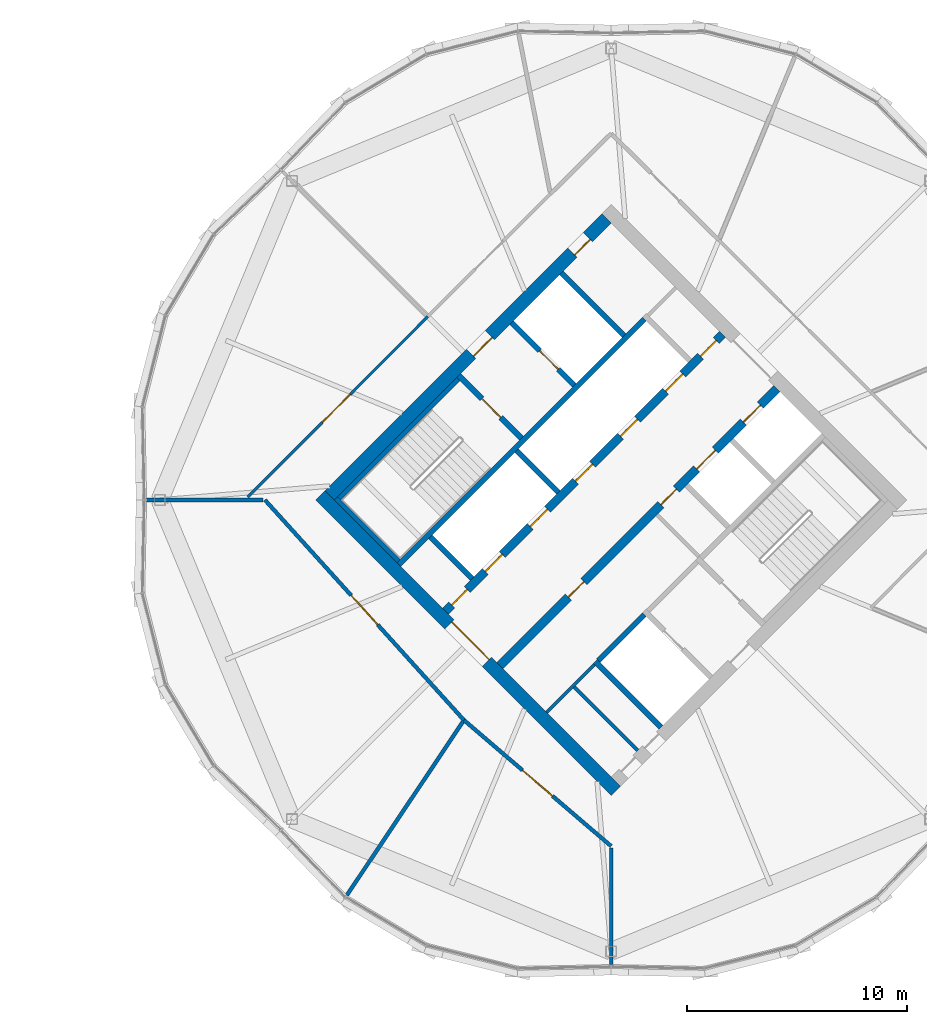
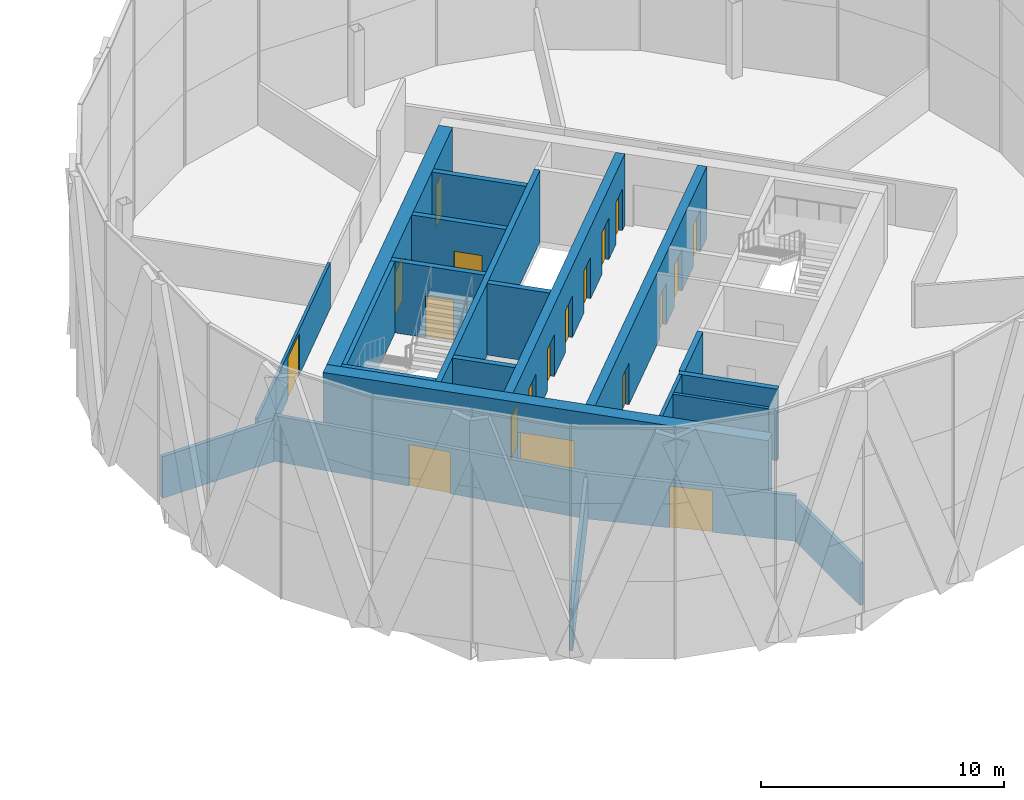
# One storey, part 21 of 25: 22 walls, 19 doors, 19 openings.
"""IFC4 building model written with IfcOpenShell, lengths in metres."""

from ifc_helpers import new_model, si_unit, direction, frame, frame_2d, origin, place, context, subcontext, project, spatial, rectangle, extrude, material, layer, layer_set, type_object, element, fill, save


model = new_model("IFC4")

# Units and contexts
model_context = context("Model", 3, precision=1e-05, world=origin(), true_north=direction((0.0, 1.0)))
body_context = subcontext(model_context, "Body", "Model", "MODEL_VIEW")
ifc_project = project(units=[si_unit("LENGTHUNIT", "METRE"), si_unit("AREAUNIT", "SQUARE_METRE"), si_unit("VOLUMEUNIT", "CUBIC_METRE"), si_unit("PLANEANGLEUNIT", "RADIAN"), si_unit("MASSUNIT", "GRAM", prefix="KILO")], contexts=[model_context])

# Site, building, storey
site_placement = place(None, origin())
site = spatial("IfcSite", under=ifc_project, at=site_placement, CompositionType="ELEMENT")
building_placement = place(site_placement, origin())
building = spatial("IfcBuilding", under=site, at=building_placement, Name="Ogive Gate Towers", CompositionType="ELEMENT")
storey_placement = place(building_placement, frame((0.0, 0.0, 196.800048828125)))
storey = spatial("IfcBuildingStorey", under=building, at=storey_placement, Name="L47", CompositionType="ELEMENT", Elevation=196.800048828125)

# Walls
ifc_material_1 = material(Name="Gypsum board acoustic partition")
ifc_layer_1 = layer(ifc_material_1, 0.175048828125)
ifc_layer_set_1 = layer_set([ifc_layer_1], Name="Acoustic partition 175")
wall_type_1 = type_object("IfcWallType", Name="Acoustic partition 175", PredefinedType="PARTITIONING", material=ifc_layer_set_1)
wall_1_placement = place(storey_placement, frame((14.881103515625, 0.0, 0.0), z_axis=(0.0, 0.0, 1.0), x_axis=(1.0, 0.0, 0.0)))
element("IfcWall", 1, at=wall_1_placement, inside=storey, type_object=wall_type_1, Name="Partition T2-L47-005", PredefinedType="PARTITIONING", context=body_context, shape_type="SweptSolid", body=[
    extrude(rectangle(XDim=5.29150390625, YDim=0.175048828125, at=frame_2d((2.645751953125, 0.0))), origin(), (0.0, 0.0, 1.0), 2.099853515625),
])
wall_2_placement = place(storey_placement, frame((23.98193359375, -17.971435546875, 0.0), z_axis=(0.0, 0.0, 1.0), x_axis=(0.555898649946, 0.831250077286, 0.0)))
element("IfcWall", 2, at=wall_2_placement, inside=storey, type_object=wall_type_1, Name="Partition T2-L47-006", PredefinedType="PARTITIONING", context=body_context, shape_type="SweptSolid", body=[
    extrude(rectangle(XDim=9.49169921875, YDim=0.175048828125, at=frame_2d((4.745849609375, 0.0))), origin(), (0.0, 0.0, 1.0), 2.099853515625),
])
wall_3_placement = place(storey_placement, frame((36.0, -21.118896484375, 0.0), z_axis=(0.0, 0.0, 1.0), x_axis=(0.0, 1.0, 0.0)))
element("IfcWall", 3, at=wall_3_placement, inside=storey, type_object=wall_type_1, Name="Partition T2-L47-007", PredefinedType="PARTITIONING", context=body_context, shape_type="SweptSolid", body=[
    extrude(rectangle(XDim=5.29150390625, YDim=0.175048828125, at=frame_2d((2.645751953125, 0.0))), origin(), (0.0, 0.0, 1.0), 2.099853515625),
])

# Wall, opening, door
wall_4_placement = place(storey_placement, frame((29.306884765625, -10.0087890625, 0.0), z_axis=(0.0, 0.0, 1.0), x_axis=(0.759579210601, -0.650414808275, 0.0)))
wall_4 = element("IfcWall", 4, at=wall_4_placement, inside=storey, type_object=wall_type_1, Name="Partition T2-L47-009", PredefinedType="PARTITIONING", context=body_context, shape_type="SweptSolid", body=[
    extrude(rectangle(XDim=8.8115234375, YDim=0.175048828125, at=frame_2d((4.40576171875, 0.0))), origin(), (0.0, 0.0, 1.0), 2.300048828125),
])
opening_1_placement = place(wall_4_placement, frame((3.506103515625, 0.0, 0.0)))
opening_1 = element("IfcOpeningElement", 5, at=opening_1_placement, cuts=wall_4, Name="Opening T2-L47-D01", PredefinedType="OPENING", context=body_context, shape_type="SweptSolid", body=[
    extrude(rectangle(XDim=1.800048828125, YDim=2.10009765625, at=frame_2d((0.89990234375, 1.050048828125))), frame((0.0, 0.09765625, 0.0), z_axis=(0.0, -1.0, 0.0), x_axis=(1.0, 0.0, 0.0)), (0.0, 0.0, 1.0), 0.195068359375),
])
ifc_material_2 = material(Name="Timber door", Category="wood")
door_type_1 = type_object("IfcDoorType", Name="Door pair 1800", OperationType="NOTDEFINED", PredefinedType="DOOR", material=ifc_material_2)
door_1_placement = place(opening_1_placement, origin())
door_1 = element("IfcDoor", 6, at=door_1_placement, inside=storey, type_object=door_type_1, Name="Door T2-L47-D01", OperationType="DOUBLE_DOOR_DOUBLE_SWING", OverallHeight=2.10009765625, OverallWidth=1.800048828125, PredefinedType="DOOR", context=body_context, shape_type="SweptSolid", body=[
    extrude(rectangle(XDim=1.800048828125, YDim=2.10009765625, at=frame_2d((0.89990234375, 1.050048828125))), frame((0.0, 0.02490234375, 0.0), z_axis=(0.0, -1.0, 0.0), x_axis=(1.0, 0.0, 0.0)), (0.0, 0.0, 1.0), 0.050048828125),
])
fill(opening_1, door_1)

wall_5_placement = place(storey_placement, frame((20.260009765625, 0.0, 0.0), z_axis=(0.0, 0.0, 1.0), x_axis=(0.670558821911, -0.741856365044, 0.0)))
wall_5 = element("IfcWall", 7, at=wall_5_placement, inside=storey, type_object=wall_type_1, Name="Partition T2-L47-017", PredefinedType="PARTITIONING", context=body_context, shape_type="SweptSolid", body=[
    extrude(rectangle(XDim=13.491455078125, YDim=0.175048828125, at=frame_2d((6.74560546875, 0.0))), origin(), (0.0, 0.0, 1.0), 2.300048828125),
])
opening_2_placement = place(wall_5_placement, frame((5.845947265625, 0.0, 0.0)))
opening_2 = element("IfcOpeningElement", 8, at=opening_2_placement, cuts=wall_5, Name="Opening T2-L47-D07", PredefinedType="OPENING", context=body_context, shape_type="SweptSolid", body=[
    extrude(rectangle(XDim=1.800048828125, YDim=2.10009765625, at=frame_2d((0.89990234375, 1.050048828125))), frame((0.0, 0.09765625, 0.0), z_axis=(0.0, -1.0, 0.0), x_axis=(1.0, 0.0, 0.0)), (0.0, 0.0, 1.0), 0.195068359375),
])
door_2_placement = place(opening_2_placement, origin())
door_2 = element("IfcDoor", 9, at=door_2_placement, inside=storey, type_object=door_type_1, Name="Door T2-L47-D07", OperationType="DOUBLE_DOOR_DOUBLE_SWING", OverallHeight=2.10009765625, OverallWidth=1.800048828125, PredefinedType="DOOR", context=body_context, shape_type="SweptSolid", body=[
    extrude(rectangle(XDim=1.800048828125, YDim=2.10009765625, at=frame_2d((0.89990234375, 1.050048828125))), frame((0.0, 0.02490234375, 0.0), z_axis=(0.0, -1.0, 0.0), x_axis=(1.0, 0.0, 0.0)), (0.0, 0.0, 1.0), 0.050048828125),
])
fill(opening_2, door_2)

# Wall, openings, doors
ifc_material_3 = material(Name="Concrete C60/75", Category="concrete")
ifc_layer_2 = layer(ifc_material_3, 0.60009765625)
ifc_layer_set_2 = layer_set([ifc_layer_2], Name="Core wall 600 mm")
wall_type_2 = type_object("IfcWallType", Name="Core wall 600 mm", PredefinedType="SHEAR", material=ifc_layer_set_2)
wall_6_placement = place(storey_placement, frame((23.201416015625, 0.212158203125, 0.0), z_axis=(0.0, 0.0, 1.0), x_axis=(0.707106781187, 0.707106781187, 0.0)))
wall_6 = element("IfcWall", 10, at=wall_6_placement, inside=storey, type_object=wall_type_2, Name="T2 L47 Core wall 600 mm", PredefinedType="SHEAR", context=body_context, shape_type="SweptSolid", body=[
    extrude(rectangle(XDim=17.7998046875, YDim=0.60009765625, at=frame_2d((8.89990234375, 0.0))), origin(), (0.0, 0.0, 1.0), 3.599853515625),
])
opening_3_placement = place(wall_6_placement, frame((9.10009765625, 0.0, 0.0)))
opening_3 = element("IfcOpeningElement", 11, at=opening_3_placement, cuts=wall_6, Name="Opening KD-T2-L47-18", PredefinedType="OPENING", context=body_context, shape_type="SweptSolid", body=[
    extrude(rectangle(XDim=1.199951171875, YDim=2.10009765625, at=frame_2d((0.60009765625, 1.050048828125))), frame((0.0, 0.31005859375, 0.0), z_axis=(0.0, -1.0, 0.0), x_axis=(1.0, 0.0, 0.0)), (0.0, 0.0, 1.0), 0.6201171875),
])
opening_4_placement = place(wall_6_placement, frame((15.60009765625, 0.0, 0.0)))
opening_4 = element("IfcOpeningElement", 12, at=opening_4_placement, cuts=wall_6, Name="Opening KD-T2-L47-20", PredefinedType="OPENING", context=body_context, shape_type="SweptSolid", body=[
    extrude(rectangle(XDim=1.0, YDim=2.10009765625, at=frame_2d((0.5, 1.050048828125))), frame((0.0, 0.31005859375, 0.0), z_axis=(0.0, -1.0, 0.0), x_axis=(1.0, 0.0, 0.0)), (0.0, 0.0, 1.0), 0.6201171875),
])
door_type_2 = type_object("IfcDoorType", Name="Accessible WC door 1000 x 2100", OperationType="NOTDEFINED", PredefinedType="DOOR", material=ifc_material_2)
door_3_placement = place(opening_4_placement, origin())
door_3 = element("IfcDoor", 13, at=door_3_placement, inside=storey, type_object=door_type_2, Name="T2 L47 Core door", OperationType="SINGLE_SWING_LEFT", OverallHeight=2.10009765625, OverallWidth=1.0, PredefinedType="DOOR", context=body_context, shape_type="SweptSolid", body=[
    extrude(rectangle(XDim=1.0, YDim=2.10009765625, at=frame_2d((0.5, 1.050048828125))), frame((0.0, -0.125, 0.0), z_axis=(0.0, -1.0, 0.0), x_axis=(1.0, 0.0, 0.0)), (0.0, 0.0, 1.0), 0.050048828125),
])
fill(opening_4, door_3)
ifc_material_4 = material(Name="Steel fire door", Category="steel")
door_type_3 = type_object("IfcDoorType", Name="Core door FD60S 1200 x 2100", OperationType="NOTDEFINED", PredefinedType="DOOR", material=ifc_material_4)
door_4_placement = place(opening_3_placement, origin())
door_4 = element("IfcDoor", 14, at=door_4_placement, inside=storey, type_object=door_type_3, Name="T2 L47 Fire-fighting lobby door", OperationType="SINGLE_SWING_LEFT", OverallHeight=2.10009765625, OverallWidth=1.199951171875, PredefinedType="DOOR", context=body_context, shape_type="SweptSolid", body=[
    extrude(rectangle(XDim=1.199951171875, YDim=2.10009765625, at=frame_2d((0.60009765625, 1.050048828125))), frame((0.0, -0.125, 0.0), z_axis=(0.0, -1.0, 0.0), x_axis=(1.0, 0.0, 0.0)), (0.0, 0.0, 1.0), 0.050048828125),
])
fill(opening_3, door_4)

# Wall, opening, door
wall_7_placement = place(storey_placement, frame((36.212158203125, -13.222900390625, 0.0), z_axis=(0.0, 0.0, 1.0), x_axis=(-0.707106781187, 0.707106781187, 0.0)))
wall_7 = element("IfcWall", 15, at=wall_7_placement, inside=storey, type_object=wall_type_2, Name="T2 L47 Core wall 600 mm", PredefinedType="SHEAR", context=body_context, shape_type="SweptSolid", body=[
    extrude(rectangle(XDim=19.0, YDim=0.60009765625, at=frame_2d((9.5, 0.0))), origin(), (0.0, 0.0, 1.0), 3.599853515625),
])
opening_5_placement = place(wall_7_placement, frame((8.300048828125, 0.0, 0.0)))
opening_5 = element("IfcOpeningElement", 16, at=opening_5_placement, cuts=wall_7, Name="Opening KD-T2-L47-01", PredefinedType="OPENING", context=body_context, shape_type="SweptSolid", body=[
    extrude(rectangle(XDim=2.39990234375, YDim=2.10009765625, at=frame_2d((1.199951171875, 1.050048828125))), frame((0.0, 0.31005859375, 0.0), z_axis=(0.0, -1.0, 0.0), x_axis=(1.0, 0.0, 0.0)), (0.0, 0.0, 1.0), 0.6201171875),
])
door_type_4 = type_object("IfcDoorType", Name="Core double door FD60S 2400 x 2100", OperationType="DOUBLE_DOOR_SINGLE_SWING", PredefinedType="DOOR", material=ifc_material_4)
door_5_placement = place(opening_5_placement, origin())
door_5 = element("IfcDoor", 17, at=door_5_placement, inside=storey, type_object=door_type_4, Name="T2 L47 Core door double", OperationType="DOUBLE_DOOR_SINGLE_SWING", OverallHeight=2.10009765625, OverallWidth=2.39990234375, PredefinedType="DOOR", context=body_context, shape_type="SweptSolid", body=[
    extrude(rectangle(XDim=2.39990234375, YDim=2.10009765625, at=frame_2d((1.199951171875, 1.050048828125))), frame((0.0, -0.125, 0.0), z_axis=(0.0, -1.0, 0.0), x_axis=(1.0, 0.0, 0.0)), (0.0, 0.0, 1.0), 0.050048828125),
])
fill(opening_5, door_5)

ifc_material_5 = material(Name="Gypsum board partition")
ifc_layer_3 = layer(ifc_material_5, 0.125)
ifc_layer_set_3 = layer_set([ifc_layer_3], Name="Partition 125")
wall_type_3 = type_object("IfcWallType", Name="Partition 125", PredefinedType="PARTITIONING", material=ifc_layer_set_3)
wall_8_placement = place(storey_placement, frame((27.6630859375, 8.3369140625, 0.0), z_axis=(0.0, 0.0, 1.0), x_axis=(-0.706495325454, -0.707717708632, 0.0)))
wall_8 = element("IfcWall", 18, at=wall_8_placement, inside=storey, type_object=wall_type_3, Name="Partition T2-L47-016", PredefinedType="PARTITIONING", context=body_context, shape_type="SweptSolid", body=[
    extrude(rectangle(XDim=11.583984375, YDim=0.125, at=frame_2d((5.7919921875, 0.0))), origin(), (0.0, 0.0, 1.0), 2.300048828125),
])
opening_6_placement = place(wall_8_placement, frame((4.989990234375, 0.0, 0.0)))
opening_6 = element("IfcOpeningElement", 19, at=opening_6_placement, cuts=wall_8, Name="Opening T2-L47-D06", PredefinedType="OPENING", context=body_context, shape_type="SweptSolid", body=[
    extrude(rectangle(XDim=1.800048828125, YDim=2.10009765625, at=frame_2d((0.89990234375, 1.050048828125))), frame((0.0, 0.072509765625, 0.0), z_axis=(0.0, -1.0, 0.0), x_axis=(1.0, 0.0, 0.0)), (0.0, 0.0, 1.0), 0.14501953125),
])
door_6_placement = place(opening_6_placement, origin())
door_6 = element("IfcDoor", 20, at=door_6_placement, inside=storey, type_object=door_type_1, Name="Door T2-L47-D06", OperationType="DOUBLE_DOOR_DOUBLE_SWING", OverallHeight=2.10009765625, OverallWidth=1.800048828125, PredefinedType="DOOR", context=body_context, shape_type="SweptSolid", body=[
    extrude(rectangle(XDim=1.800048828125, YDim=2.10009765625, at=frame_2d((0.89990234375, 1.050048828125))), frame((0.0, 0.02490234375, 0.0), z_axis=(0.0, -1.0, 0.0), x_axis=(1.0, 0.0, 0.0)), (0.0, 0.0, 1.0), 0.050048828125),
])
fill(opening_6, door_6)

# Walls
ifc_layer_4 = layer(ifc_material_5, 0.14990234375)
ifc_layer_set_4 = layer_set([ifc_layer_4], Name="Room partition 150 mm")
wall_type_4 = type_object("IfcWallType", Name="Room partition 150 mm", PredefinedType="PARTITIONING", material=ifc_layer_set_4)
wall_9_placement = place(storey_placement, frame((33.0654296875, -9.652099609375, 0.0), z_axis=(0.0, 0.0, 1.0), x_axis=(0.707146476181, 0.707067083964, 0.0)))
element("IfcWall", 21, at=wall_9_placement, inside=storey, type_object=wall_type_4, Name="T2 L47 Room partition 150 mm", PredefinedType="PARTITIONING", context=body_context, shape_type="SweptSolid", body=[
    extrude(rectangle(XDim=3.0751953125, YDim=0.14990234375, at=frame_2d((1.53759765625, 0.0))), origin(), (0.0, 0.0, 1.0), 3.599853515625),
])
wall_10_placement = place(storey_placement, frame((37.2021484375, -11.384521484375, 0.0), z_axis=(0.0, 0.0, 1.0), x_axis=(-0.707106781187, 0.707106781187, 0.0)))
element("IfcWall", 22, at=wall_10_placement, inside=storey, type_object=wall_type_4, Name="T2 L47 Room partition 150 mm", PredefinedType="PARTITIONING", context=body_context, shape_type="SweptSolid", body=[
    extrude(rectangle(XDim=4.0751953125, YDim=0.14990234375, at=frame_2d((2.03759765625, 0.0))), origin(), (0.0, 0.0, 1.0), 3.599853515625),
])
ifc_layer_5 = layer(ifc_material_3, 0.25)
ifc_layer_set_5 = layer_set([ifc_layer_5], Name="Shaft wall 250 mm")
wall_type_5 = type_object("IfcWallType", Name="Shaft wall 250 mm", PredefinedType="SHEAR", material=ifc_layer_set_5)
wall_11_placement = place(storey_placement, frame((35.41650390625, -7.30078125, 0.0), z_axis=(0.0, 0.0, 1.0), x_axis=(0.707148157867, 0.707065402085, 0.0)))
element("IfcWall", 23, at=wall_11_placement, inside=storey, type_object=wall_type_5, Name="T2 L47 Shaft wall 250 mm", PredefinedType="SHEAR", context=body_context, shape_type="SweptSolid", body=[
    extrude(rectangle(XDim=2.9501953125, YDim=0.25, at=frame_2d((1.47509765625, 0.0))), origin(), (0.0, 0.0, 1.0), 3.599853515625),
])
wall_12_placement = place(storey_placement, frame((26.347900390625, -2.9345703125, 0.0), z_axis=(0.0, 0.0, 1.0), x_axis=(0.707106781187, 0.707106781187, 0.0)))
element("IfcWall", 24, at=wall_12_placement, inside=storey, type_object=wall_type_5, Name="T2 L47 Shaft wall 250 mm", PredefinedType="SHEAR", context=body_context, shape_type="SweptSolid", body=[
    extrude(rectangle(XDim=15.775146484375, YDim=0.25, at=frame_2d((7.8876953125, 0.0))), origin(), (0.0, 0.0, 1.0), 3.599853515625),
])
wall_13_placement = place(storey_placement, frame((29.67138671875, -3.57080078125, 0.0), z_axis=(0.0, 0.0, 1.0), x_axis=(-0.707152414227, 0.707061145201, 0.0)))
element("IfcWall", 25, at=wall_13_placement, inside=storey, type_object=wall_type_5, Name="T2 L47 Shaft wall 250 mm", PredefinedType="SHEAR", context=body_context, shape_type="SweptSolid", body=[
    extrude(rectangle(XDim=2.675048828125, YDim=0.25, at=frame_2d((1.33740234375, 0.0))), origin(), (0.0, 0.0, 1.0), 3.599853515625),
])
wall_14_placement = place(storey_placement, frame((38.2626953125, -10.32373046875, 0.0), z_axis=(0.0, 0.0, 1.0), x_axis=(-0.707106781187, 0.707106781187, 0.0)))
element("IfcWall", 26, at=wall_14_placement, inside=storey, type_object=wall_type_5, Name="T2 L47 Shaft wall 250 mm", PredefinedType="SHEAR", context=body_context, shape_type="SweptSolid", body=[
    extrude(rectangle(XDim=4.22509765625, YDim=0.25, at=frame_2d((2.112548828125, 0.0))), origin(), (0.0, 0.0, 1.0), 3.599853515625),
])
wall_15_placement = place(storey_placement, frame((33.595703125, 0.353515625, 0.0), z_axis=(0.0, 0.0, 1.0), x_axis=(-0.707061145201, 0.707152414227, 0.0)))
element("IfcWall", 27, at=wall_15_placement, inside=storey, type_object=wall_type_5, Name="T2 L47 Shaft wall 250 mm", PredefinedType="SHEAR", context=body_context, shape_type="SweptSolid", body=[
    extrude(rectangle(XDim=2.675048828125, YDim=0.25, at=frame_2d((1.33740234375, 0.0))), origin(), (0.0, 0.0, 1.0), 3.599853515625),
])

# Wall, opening, door
wall_16_placement = place(storey_placement, frame((31.91650390625, 2.810791015625, 0.0), z_axis=(0.0, 0.0, 1.0), x_axis=(-0.707106781187, 0.707106781187, 0.0)))
wall_16 = element("IfcWall", 28, at=wall_16_placement, inside=storey, type_object=wall_type_5, Name="T2 L47 Shaft wall 250 mm", PredefinedType="SHEAR", context=body_context, shape_type="SweptSolid", body=[
    extrude(rectangle(XDim=4.025146484375, YDim=0.25, at=frame_2d((2.0126953125, 0.0))), origin(), (0.0, 0.0, 1.0), 3.599853515625),
])
opening_7_placement = place(wall_16_placement, frame((1.324951171875, 0.0, 0.0)))
opening_7 = element("IfcOpeningElement", 29, at=opening_7_placement, cuts=wall_16, Name="Opening KD-T2-L47-16", PredefinedType="OPENING", context=body_context, shape_type="SweptSolid", body=[
    extrude(rectangle(XDim=1.199951171875, YDim=2.10009765625, at=frame_2d((0.60009765625, 1.050048828125))), frame((0.0, 0.135009765625, 0.0), z_axis=(0.0, -1.0, 0.0), x_axis=(1.0, 0.0, 0.0)), (0.0, 0.0, 1.0), 0.27001953125),
])
door_7_placement = place(opening_7_placement, origin())
door_7 = element("IfcDoor", 30, at=door_7_placement, inside=storey, type_object=door_type_3, Name="T2 L47 Stair door", OperationType="SINGLE_SWING_LEFT", OverallHeight=2.10009765625, OverallWidth=1.199951171875, PredefinedType="DOOR", context=body_context, shape_type="SweptSolid", body=[
    extrude(rectangle(XDim=1.199951171875, YDim=2.10009765625, at=frame_2d((0.60009765625, 1.050048828125))), frame((0.0, 0.02490234375, 0.0), z_axis=(0.0, -1.0, 0.0), x_axis=(1.0, 0.0, 0.0)), (0.0, 0.0, 1.0), 0.050048828125),
])
fill(opening_7, door_7)

wall_17_placement = place(storey_placement, frame((34.320556640625, 5.21484375, 0.0), z_axis=(0.0, 0.0, 1.0), x_axis=(-0.70707645213, 0.707137108942, 0.0)))
wall_17 = element("IfcWall", 31, at=wall_17_placement, inside=storey, type_object=wall_type_5, Name="T2 L47 Shaft wall 250 mm", PredefinedType="SHEAR", context=body_context, shape_type="SweptSolid", body=[
    extrude(rectangle(XDim=4.02490234375, YDim=0.25, at=frame_2d((2.012451171875, 0.0))), origin(), (0.0, 0.0, 1.0), 3.599853515625),
])
opening_8_placement = place(wall_17_placement, frame((1.02490234375, 0.0, 0.0)))
opening_8 = element("IfcOpeningElement", 32, at=opening_8_placement, cuts=wall_17, Name="Opening LD-T2-L47-12", PredefinedType="OPENING", context=body_context, shape_type="SweptSolid", body=[
    extrude(rectangle(XDim=1.199951171875, YDim=2.10009765625, at=frame_2d((0.60009765625, 1.050048828125))), frame((0.0, 0.135009765625, 0.0), z_axis=(0.0, -1.0, 0.0), x_axis=(1.0, 0.0, 0.0)), (0.0, 0.0, 1.0), 0.27001953125),
])
ifc_material_6 = material(Name="Stainless steel landing door", Category="steel")
door_type_5 = type_object("IfcDoorType", Name="Landing door 1200 x 2100", OperationType="SLIDING_TO_LEFT", PredefinedType="DOOR", material=ifc_material_6)
door_8_placement = place(opening_8_placement, origin())
door_8 = element("IfcDoor", 33, at=door_8_placement, inside=storey, type_object=door_type_5, Name="T2 L47 Lift landing door FF1", OperationType="SLIDING_TO_LEFT", OverallHeight=2.10009765625, OverallWidth=1.199951171875, PredefinedType="DOOR", context=body_context, shape_type="SweptSolid", body=[
    extrude(rectangle(XDim=1.199951171875, YDim=2.10009765625, at=frame_2d((0.60009765625, 1.050048828125))), frame((0.0, 0.02490234375, 0.0), z_axis=(0.0, -1.0, 0.0), x_axis=(1.0, 0.0, 0.0)), (0.0, 0.0, 1.0), 0.050048828125),
])
fill(opening_8, door_8)

# Wall
wall_18_placement = place(storey_placement, frame((36.58349609375, 7.477783203125, 0.0), z_axis=(0.0, 0.0, 1.0), x_axis=(-0.707137108942, 0.70707645213, 0.0)))
element("IfcWall", 34, at=wall_18_placement, inside=storey, type_object=wall_type_5, Name="T2 L47 Shaft wall 250 mm", PredefinedType="SHEAR", context=body_context, shape_type="SweptSolid", body=[
    extrude(rectangle(XDim=4.02490234375, YDim=0.25, at=frame_2d((2.012451171875, 0.0))), origin(), (0.0, 0.0, 1.0), 3.599853515625),
])

# Wall, openings, doors
ifc_layer_6 = layer(ifc_material_3, 0.39990234375)
ifc_layer_set_6 = layer_set([ifc_layer_6], Name="Spine wall 400 mm")
wall_type_6 = type_object("IfcWallType", Name="Spine wall 400 mm", PredefinedType="SHEAR", material=ifc_layer_set_6)
wall_19_placement = place(storey_placement, frame((30.944091796875, -7.53076171875, 0.0), z_axis=(0.0, 0.0, 1.0), x_axis=(0.707106781187, 0.707106781187, 0.0)))
wall_19 = element("IfcWall", 35, at=wall_19_placement, inside=storey, type_object=wall_type_6, Name="T2 L47 Spine wall 400 mm", PredefinedType="SHEAR", context=body_context, shape_type="SweptSolid", body=[
    extrude(rectangle(XDim=17.80029296875, YDim=0.39990234375, at=frame_2d((8.900146484375, 0.0))), origin(), (0.0, 0.0, 1.0), 3.599853515625),
])
opening_9_placement = place(wall_19_placement, frame((12.64990234375, 0.0, 0.0)))
opening_9 = element("IfcOpeningElement", 36, at=opening_9_placement, cuts=wall_19, Name="Opening LD-T2-L47-10", PredefinedType="OPENING", context=body_context, shape_type="SweptSolid", body=[
    extrude(rectangle(XDim=1.199951171875, YDim=2.10009765625, at=frame_2d((0.60009765625, 1.050048828125))), frame((0.0, 0.2099609375, 0.0), z_axis=(0.0, -1.0, 0.0), x_axis=(1.0, 0.0, 0.0)), (0.0, 0.0, 1.0), 0.419921875),
])
opening_10_placement = place(wall_19_placement, frame((15.64990234375, 0.0, 0.0)))
opening_10 = element("IfcOpeningElement", 37, at=opening_10_placement, cuts=wall_19, Name="Opening LD-T2-L47-11", PredefinedType="OPENING", context=body_context, shape_type="SweptSolid", body=[
    extrude(rectangle(XDim=1.10009765625, YDim=2.10009765625, at=frame_2d((0.550048828125, 1.050048828125))), frame((0.0, 0.2099609375, 0.0), z_axis=(0.0, -1.0, 0.0), x_axis=(1.0, 0.0, 0.0)), (0.0, 0.0, 1.0), 0.419921875),
])
opening_11_placement = place(wall_19_placement, frame((4.39990234375, 0.0, 0.0)))
opening_11 = element("IfcOpeningElement", 38, at=opening_11_placement, cuts=wall_19, Name="Opening KD-T2-L47-14", PredefinedType="OPENING", context=body_context, shape_type="SweptSolid", body=[
    extrude(rectangle(XDim=1.0, YDim=2.10009765625, at=frame_2d((0.5, 1.050048828125))), frame((0.0, 0.2099609375, 0.0), z_axis=(0.0, -1.0, 0.0), x_axis=(1.0, 0.0, 0.0)), (0.0, 0.0, 1.0), 0.419921875),
])
opening_12_placement = place(wall_19_placement, frame((10.35009765625, 0.0, 0.0)))
opening_12 = element("IfcOpeningElement", 39, at=opening_12_placement, cuts=wall_19, Name="Opening KD-T2-L47-15", PredefinedType="OPENING", context=body_context, shape_type="SweptSolid", body=[
    extrude(rectangle(XDim=1.0, YDim=2.10009765625, at=frame_2d((0.5, 1.050048828125))), frame((0.0, 0.2099609375, 0.0), z_axis=(0.0, -1.0, 0.0), x_axis=(1.0, 0.0, 0.0)), (0.0, 0.0, 1.0), 0.419921875),
])
door_type_6 = type_object("IfcDoorType", Name="Core door FD60S 1000 x 2100", OperationType="NOTDEFINED", PredefinedType="DOOR", material=ifc_material_4)
door_9_placement = place(opening_11_placement, origin())
door_9 = element("IfcDoor", 40, at=door_9_placement, inside=storey, type_object=door_type_6, Name="T2 L47 Core door", OperationType="SINGLE_SWING_LEFT", OverallHeight=2.10009765625, OverallWidth=1.0, PredefinedType="DOOR", context=body_context, shape_type="SweptSolid", body=[
    extrude(rectangle(XDim=1.0, YDim=2.10009765625, at=frame_2d((0.5, 1.050048828125))), frame((0.0, 0.02490234375, 0.0), z_axis=(0.0, -1.0, 0.0), x_axis=(1.0, 0.0, 0.0)), (0.0, 0.0, 1.0), 0.050048828125),
])
fill(opening_11, door_9)
door_10_placement = place(opening_12_placement, origin())
door_10 = element("IfcDoor", 41, at=door_10_placement, inside=storey, type_object=door_type_6, Name="T2 L47 Core door", OperationType="SINGLE_SWING_RIGHT", OverallHeight=2.10009765625, OverallWidth=1.0, PredefinedType="DOOR", context=body_context, shape_type="SweptSolid", body=[
    extrude(rectangle(XDim=1.0, YDim=2.10009765625, at=frame_2d((0.5, 1.050048828125))), frame((0.0, 0.02490234375, 0.0), z_axis=(0.0, -1.0, 0.0), x_axis=(1.0, 0.0, 0.0)), (0.0, 0.0, 1.0), 0.050048828125),
])
fill(opening_12, door_10)
door_type_7 = type_object("IfcDoorType", Name="Landing door 1100 x 2100", OperationType="SLIDING_TO_LEFT", PredefinedType="DOOR", material=ifc_material_6)
door_11_placement = place(opening_10_placement, origin())
door_11 = element("IfcDoor", 42, at=door_11_placement, inside=storey, type_object=door_type_7, Name="T2 L47 Lift landing door B6", OperationType="SLIDING_TO_LEFT", OverallHeight=2.10009765625, OverallWidth=1.10009765625, PredefinedType="DOOR", context=body_context, shape_type="SweptSolid", body=[
    extrude(rectangle(XDim=1.10009765625, YDim=2.10009765625, at=frame_2d((0.550048828125, 1.050048828125))), frame((0.0, 0.02490234375, 0.0), z_axis=(0.0, -1.0, 0.0), x_axis=(1.0, 0.0, 0.0)), (0.0, 0.0, 1.0), 0.050048828125),
])
fill(opening_10, door_11)
door_12_placement = place(opening_9_placement, origin())
door_12 = element("IfcDoor", 43, at=door_12_placement, inside=storey, type_object=door_type_5, Name="T2 L47 Lift landing door SVC", OperationType="SLIDING_TO_LEFT", OverallHeight=2.10009765625, OverallWidth=1.199951171875, PredefinedType="DOOR", context=body_context, shape_type="SweptSolid", body=[
    extrude(rectangle(XDim=1.199951171875, YDim=2.10009765625, at=frame_2d((0.60009765625, 1.050048828125))), frame((0.0, 0.02490234375, 0.0), z_axis=(0.0, -1.0, 0.0), x_axis=(1.0, 0.0, 0.0)), (0.0, 0.0, 1.0), 0.050048828125),
])
fill(opening_9, door_12)

wall_20_placement = place(storey_placement, frame((28.46923828125, -5.055908203125, 0.0), z_axis=(0.0, 0.0, 1.0), x_axis=(0.707106781187, 0.707106781187, 0.0)))
wall_20 = element("IfcWall", 44, at=wall_20_placement, inside=storey, type_object=wall_type_6, Name="T2 L47 Spine wall 400 mm", PredefinedType="SHEAR", context=body_context, shape_type="SweptSolid", body=[
    extrude(rectangle(XDim=17.80029296875, YDim=0.39990234375, at=frame_2d((8.900146484375, 0.0))), origin(), (0.0, 0.0, 1.0), 3.599853515625),
])
opening_13_placement = place(wall_20_placement, frame((0.39990234375, 0.0, 0.0)))
opening_13 = element("IfcOpeningElement", 45, at=opening_13_placement, cuts=wall_20, Name="Opening KD-T2-L47-03", PredefinedType="OPENING", context=body_context, shape_type="SweptSolid", body=[
    extrude(rectangle(XDim=1.0, YDim=2.10009765625, at=frame_2d((0.5, 1.050048828125))), frame((0.0, 0.2099609375, 0.0), z_axis=(0.0, -1.0, 0.0), x_axis=(1.0, 0.0, 0.0)), (0.0, 0.0, 1.0), 0.419921875),
])
opening_14_placement = place(wall_20_placement, frame((2.550048828125, 0.0, 0.0)))
opening_14 = element("IfcOpeningElement", 46, at=opening_14_placement, cuts=wall_20, Name="Opening LD-T2-L47-04", PredefinedType="OPENING", context=body_context, shape_type="SweptSolid", body=[
    extrude(rectangle(XDim=1.10009765625, YDim=2.10009765625, at=frame_2d((0.550048828125, 1.050048828125))), frame((0.0, 0.2099609375, 0.0), z_axis=(0.0, -1.0, 0.0), x_axis=(1.0, 0.0, 0.0)), (0.0, 0.0, 1.0), 0.419921875),
])
opening_15_placement = place(wall_20_placement, frame((5.449951171875, 0.0, 0.0)))
opening_15 = element("IfcOpeningElement", 47, at=opening_15_placement, cuts=wall_20, Name="Opening LD-T2-L47-05", PredefinedType="OPENING", context=body_context, shape_type="SweptSolid", body=[
    extrude(rectangle(XDim=1.10009765625, YDim=2.10009765625, at=frame_2d((0.550048828125, 1.050048828125))), frame((0.0, 0.2099609375, 0.0), z_axis=(0.0, -1.0, 0.0), x_axis=(1.0, 0.0, 0.0)), (0.0, 0.0, 1.0), 0.419921875),
])
opening_16_placement = place(wall_20_placement, frame((8.35009765625, 0.0, 0.0)))
opening_16 = element("IfcOpeningElement", 48, at=opening_16_placement, cuts=wall_20, Name="Opening LD-T2-L47-06", PredefinedType="OPENING", context=body_context, shape_type="SweptSolid", body=[
    extrude(rectangle(XDim=1.10009765625, YDim=2.10009765625, at=frame_2d((0.550048828125, 1.050048828125))), frame((0.0, 0.2099609375, 0.0), z_axis=(0.0, -1.0, 0.0), x_axis=(1.0, 0.0, 0.0)), (0.0, 0.0, 1.0), 0.419921875),
])
opening_17_placement = place(wall_20_placement, frame((11.25, 0.0, 0.0)))
opening_17 = element("IfcOpeningElement", 49, at=opening_17_placement, cuts=wall_20, Name="Opening LD-T2-L47-07", PredefinedType="OPENING", context=body_context, shape_type="SweptSolid", body=[
    extrude(rectangle(XDim=1.10009765625, YDim=2.10009765625, at=frame_2d((0.550048828125, 1.050048828125))), frame((0.0, 0.2099609375, 0.0), z_axis=(0.0, -1.0, 0.0), x_axis=(1.0, 0.0, 0.0)), (0.0, 0.0, 1.0), 0.419921875),
])
opening_18_placement = place(wall_20_placement, frame((14.14990234375, 0.0, 0.0)))
opening_18 = element("IfcOpeningElement", 50, at=opening_18_placement, cuts=wall_20, Name="Opening LD-T2-L47-08", PredefinedType="OPENING", context=body_context, shape_type="SweptSolid", body=[
    extrude(rectangle(XDim=1.10009765625, YDim=2.10009765625, at=frame_2d((0.550048828125, 1.050048828125))), frame((0.0, 0.2099609375, 0.0), z_axis=(0.0, -1.0, 0.0), x_axis=(1.0, 0.0, 0.0)), (0.0, 0.0, 1.0), 0.419921875),
])
opening_19_placement = place(wall_20_placement, frame((16.39990234375, 0.0, 0.0)))
opening_19 = element("IfcOpeningElement", 51, at=opening_19_placement, cuts=wall_20, Name="Opening KD-T2-L47-09", PredefinedType="OPENING", context=body_context, shape_type="SweptSolid", body=[
    extrude(rectangle(XDim=1.0, YDim=2.10009765625, at=frame_2d((0.5, 1.050048828125))), frame((0.0, 0.2099609375, 0.0), z_axis=(0.0, -1.0, 0.0), x_axis=(1.0, 0.0, 0.0)), (0.0, 0.0, 1.0), 0.419921875),
])
door_13_placement = place(opening_13_placement, origin())
door_13 = element("IfcDoor", 52, at=door_13_placement, inside=storey, type_object=door_type_6, Name="T2 L47 Core door", OperationType="SINGLE_SWING_RIGHT", OverallHeight=2.10009765625, OverallWidth=1.0, PredefinedType="DOOR", context=body_context, shape_type="SweptSolid", body=[
    extrude(rectangle(XDim=1.0, YDim=2.10009765625, at=frame_2d((0.5, 1.050048828125))), frame((0.0, 0.02490234375, 0.0), z_axis=(0.0, -1.0, 0.0), x_axis=(1.0, 0.0, 0.0)), (0.0, 0.0, 1.0), 0.050048828125),
])
fill(opening_13, door_13)
door_14_placement = place(opening_19_placement, origin())
door_14 = element("IfcDoor", 53, at=door_14_placement, inside=storey, type_object=door_type_6, Name="T2 L47 Core door", OperationType="SINGLE_SWING_RIGHT", OverallHeight=2.10009765625, OverallWidth=1.0, PredefinedType="DOOR", context=body_context, shape_type="SweptSolid", body=[
    extrude(rectangle(XDim=1.0, YDim=2.10009765625, at=frame_2d((0.5, 1.050048828125))), frame((0.0, 0.02490234375, 0.0), z_axis=(0.0, -1.0, 0.0), x_axis=(1.0, 0.0, 0.0)), (0.0, 0.0, 1.0), 0.050048828125),
])
fill(opening_19, door_14)
door_15_placement = place(opening_14_placement, origin())
door_15 = element("IfcDoor", 54, at=door_15_placement, inside=storey, type_object=door_type_7, Name="T2 L47 Lift landing door B1", OperationType="SLIDING_TO_LEFT", OverallHeight=2.10009765625, OverallWidth=1.10009765625, PredefinedType="DOOR", context=body_context, shape_type="SweptSolid", body=[
    extrude(rectangle(XDim=1.10009765625, YDim=2.10009765625, at=frame_2d((0.550048828125, 1.050048828125))), frame((0.0, 0.02490234375, 0.0), z_axis=(0.0, -1.0, 0.0), x_axis=(1.0, 0.0, 0.0)), (0.0, 0.0, 1.0), 0.050048828125),
])
fill(opening_14, door_15)
door_16_placement = place(opening_15_placement, origin())
door_16 = element("IfcDoor", 55, at=door_16_placement, inside=storey, type_object=door_type_7, Name="T2 L47 Lift landing door B2", OperationType="SLIDING_TO_LEFT", OverallHeight=2.10009765625, OverallWidth=1.10009765625, PredefinedType="DOOR", context=body_context, shape_type="SweptSolid", body=[
    extrude(rectangle(XDim=1.10009765625, YDim=2.10009765625, at=frame_2d((0.550048828125, 1.050048828125))), frame((0.0, 0.02490234375, 0.0), z_axis=(0.0, -1.0, 0.0), x_axis=(1.0, 0.0, 0.0)), (0.0, 0.0, 1.0), 0.050048828125),
])
fill(opening_15, door_16)
door_17_placement = place(opening_16_placement, origin())
door_17 = element("IfcDoor", 56, at=door_17_placement, inside=storey, type_object=door_type_7, Name="T2 L47 Lift landing door B3", OperationType="SLIDING_TO_LEFT", OverallHeight=2.10009765625, OverallWidth=1.10009765625, PredefinedType="DOOR", context=body_context, shape_type="SweptSolid", body=[
    extrude(rectangle(XDim=1.10009765625, YDim=2.10009765625, at=frame_2d((0.550048828125, 1.050048828125))), frame((0.0, 0.02490234375, 0.0), z_axis=(0.0, -1.0, 0.0), x_axis=(1.0, 0.0, 0.0)), (0.0, 0.0, 1.0), 0.050048828125),
])
fill(opening_16, door_17)
door_18_placement = place(opening_17_placement, origin())
door_18 = element("IfcDoor", 57, at=door_18_placement, inside=storey, type_object=door_type_7, Name="T2 L47 Lift landing door B4", OperationType="SLIDING_TO_LEFT", OverallHeight=2.10009765625, OverallWidth=1.10009765625, PredefinedType="DOOR", context=body_context, shape_type="SweptSolid", body=[
    extrude(rectangle(XDim=1.10009765625, YDim=2.10009765625, at=frame_2d((0.550048828125, 1.050048828125))), frame((0.0, 0.02490234375, 0.0), z_axis=(0.0, -1.0, 0.0), x_axis=(1.0, 0.0, 0.0)), (0.0, 0.0, 1.0), 0.050048828125),
])
fill(opening_17, door_18)
door_19_placement = place(opening_18_placement, origin())
door_19 = element("IfcDoor", 58, at=door_19_placement, inside=storey, type_object=door_type_7, Name="T2 L47 Lift landing door B5", OperationType="SLIDING_TO_LEFT", OverallHeight=2.10009765625, OverallWidth=1.10009765625, PredefinedType="DOOR", context=body_context, shape_type="SweptSolid", body=[
    extrude(rectangle(XDim=1.10009765625, YDim=2.10009765625, at=frame_2d((0.550048828125, 1.050048828125))), frame((0.0, 0.02490234375, 0.0), z_axis=(0.0, -1.0, 0.0), x_axis=(1.0, 0.0, 0.0)), (0.0, 0.0, 1.0), 0.050048828125),
])
fill(opening_18, door_19)

# Walls
ifc_layer_7 = layer(ifc_material_3, 0.199951171875)
ifc_layer_set_7 = layer_set([ifc_layer_7], Name="Stair wall 200 mm")
wall_type_7 = type_object("IfcWallType", Name="Stair wall 200 mm", PredefinedType="SHEAR", material=ifc_layer_set_7)
wall_21_placement = place(storey_placement, frame((23.62548828125, 0.07080078125, 0.0), z_axis=(0.0, 0.0, 1.0), x_axis=(0.707122685701, 0.707090876314, 0.0)))
element("IfcWall", 59, at=wall_21_placement, inside=storey, type_object=wall_type_7, Name="T2 L47 Stair wall 200 mm", PredefinedType="SHEAR", context=body_context, shape_type="SweptSolid", body=[
    extrude(rectangle(XDim=7.675048828125, YDim=0.199951171875, at=frame_2d((3.83740234375, 0.0))), origin(), (0.0, 0.0, 1.0), 3.599853515625),
])
wall_22_placement = place(storey_placement, frame((26.330322265625, -2.775390625, 0.0), z_axis=(0.0, 0.0, 1.0), x_axis=(-0.707106781187, 0.707106781187, 0.0)))
element("IfcWall", 60, at=wall_22_placement, inside=storey, type_object=wall_type_7, Name="T2 L47 Stair wall 200 mm", PredefinedType="SHEAR", context=body_context, shape_type="SweptSolid", body=[
    extrude(rectangle(XDim=4.025146484375, YDim=0.199951171875, at=frame_2d((2.0126953125, 0.0))), origin(), (0.0, 0.0, 1.0), 3.599853515625),
])

save(model, "model.ifc")
